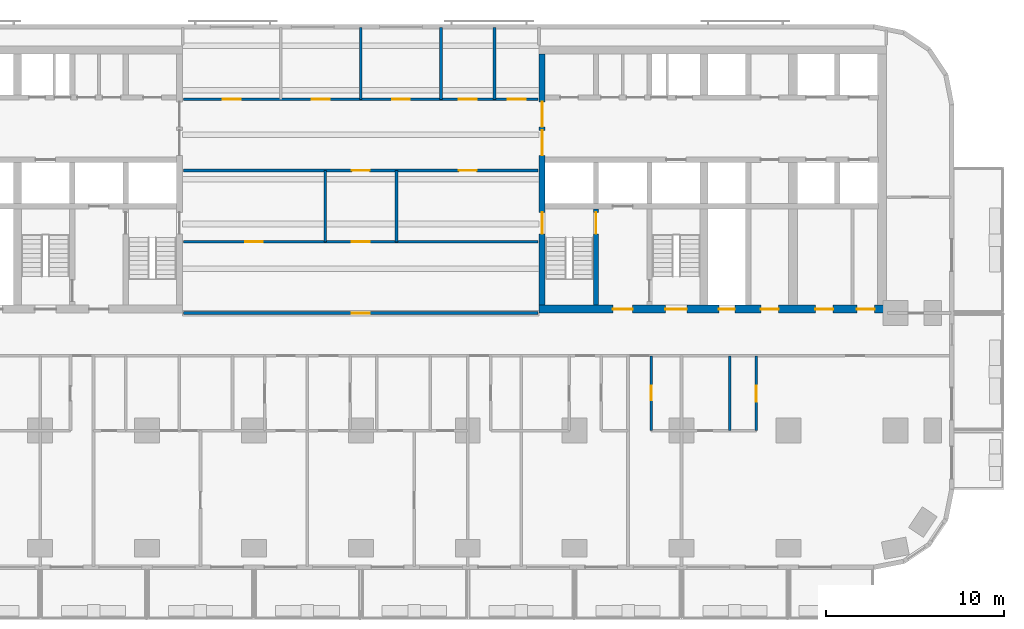
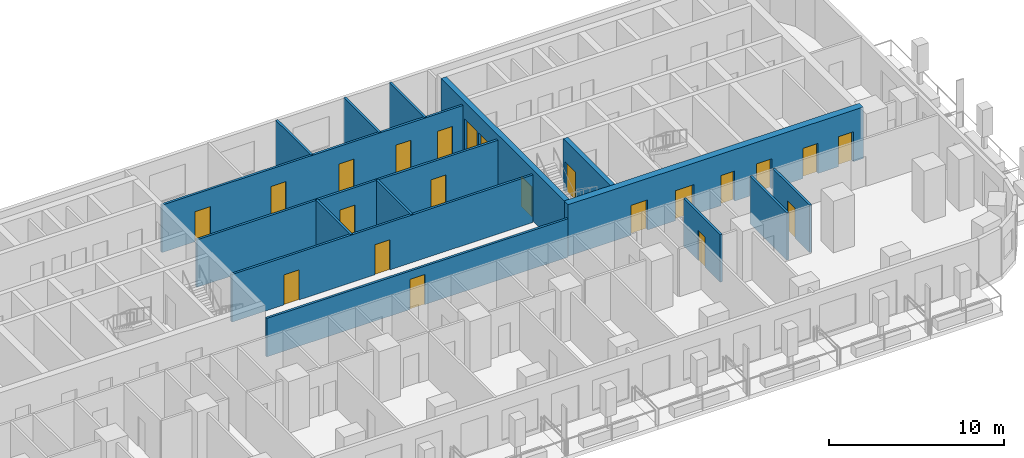
# One storey, part 6 of 13: 22 doors, 15 walls, 22 openings.
"""IFC4 building model written with IfcOpenShell, lengths in metres."""

from ifc_helpers import new_model, si_unit, direction, frame, frame_2d, origin, place, context, subcontext, project, spatial, rectangle, extrude, material, layer, layer_set, type_object, element, fill, save


model = new_model("IFC4")

# Units and contexts
model_context = context("Model", 3, precision=1e-05, world=origin(), true_north=direction((0.0, 1.0)))
body_context = subcontext(model_context, "Body", "Model", "MODEL_VIEW")
ifc_project = project(units=[si_unit("LENGTHUNIT", "METRE"), si_unit("AREAUNIT", "SQUARE_METRE"), si_unit("VOLUMEUNIT", "CUBIC_METRE"), si_unit("PLANEANGLEUNIT", "RADIAN"), si_unit("MASSUNIT", "GRAM", prefix="KILO")], contexts=[model_context])

# Site, building, storey
site_placement = place(None, origin())
site = spatial("IfcSite", under=ifc_project, at=site_placement, CompositionType="ELEMENT")
building_placement = place(site_placement, origin())
building = spatial("IfcBuilding", under=site, at=building_placement, Name="Torana Hotel and Residences", CompositionType="ELEMENT")
storey_placement = place(building_placement, frame((0.0, 0.0, 78.0)))
storey = spatial("IfcBuildingStorey", under=building, at=storey_placement, Name="L19", CompositionType="ELEMENT", Elevation=78.0)

# Wall, opening, door
ifc_material_1 = material(Name="Concrete C80/95", Category="concrete")
ifc_layer_1 = layer(ifc_material_1, 0.300048828125)
ifc_layer_set_1 = layer_set([ifc_layer_1], Name="CORE WALL 300 C80/95")
wall_type_1 = type_object("IfcWallType", Name="CORE WALL 300 C80/95", PredefinedType="SHEAR", material=ifc_layer_set_1)
wall_1_placement = place(storey_placement, frame((13.199951171875, -14.550048828125, 0.0), z_axis=(0.0, 0.0, 1.0), x_axis=(0.0, 1.0, 0.0)))
wall_1 = element("IfcWall", 1, at=wall_1_placement, inside=storey, type_object=wall_type_1, Name="Core wall E x3.05-band", PredefinedType="SHEAR", context=body_context, shape_type="SweptSolid", body=[
    extrude(rectangle(XDim=5.400146484375, YDim=0.300048828125, at=frame_2d((2.7001953125, 0.0))), origin(), (0.0, 0.0, 1.0), 3.60009765625),
])
opening_1_placement = place(wall_1_placement, frame((4.0, 0.0, 0.0)))
opening_1 = element("IfcOpeningElement", 2, at=opening_1_placement, cuts=wall_1, Name="Opening L19-35", PredefinedType="OPENING", context=body_context, shape_type="SweptSolid", body=[
    extrude(rectangle(XDim=1.199951171875, YDim=2.10009765625, at=frame_2d((0.60009765625, 1.050048828125))), frame((0.0, 0.159912109375, 0.0), z_axis=(0.0, -1.0, 0.0), x_axis=(1.0, 0.0, 0.0)), (0.0, 0.0, 1.0), 0.320068359375),
])
ifc_material_2 = material(Name="Steel S235", Category="steel")
door_type_1 = type_object("IfcDoorType", Name="STAIR FIRE DOOR D3 1200x2100", OperationType="SINGLE_SWING_LEFT", PredefinedType="DOOR", material=ifc_material_2)
door_1_placement = place(opening_1_placement, origin())
door_1 = element("IfcDoor", 3, at=door_1_placement, inside=storey, type_object=door_type_1, Name="Stair-A-lobby door L19", OperationType="SINGLE_SWING_LEFT", OverallHeight=2.10009765625, OverallWidth=1.199951171875, PredefinedType="DOOR", context=body_context, shape_type="SweptSolid", body=[
    extrude(rectangle(XDim=1.199951171875, YDim=2.10009765625, at=frame_2d((0.60009765625, 1.050048828125))), frame((0.0, 0.02490234375, 0.0), z_axis=(0.0, -1.0, 0.0), x_axis=(1.0, 0.0, 0.0)), (0.0, 0.0, 1.0), 0.050048828125),
])
fill(opening_1, door_1)

# Wall, openings, doors
ifc_material_3 = material(Name="Concrete C80/95", Category="concrete")
ifc_layer_2 = layer(ifc_material_3, 0.35009765625)
ifc_layer_set_2 = layer_set([ifc_layer_2], Name="CORE WALL 350 C80/95")
wall_type_2 = type_object("IfcWallType", Name="CORE WALL 350 C80/95", PredefinedType="SHEAR", material=ifc_layer_set_2)
wall_2_placement = place(storey_placement, frame((10.175048828125, -14.550048828125, 0.0), z_axis=(0.0, 0.0, 1.0), x_axis=(0.0, 1.0, 0.0)))
wall_2 = element("IfcWall", 4, at=wall_2_placement, inside=storey, type_object=wall_type_2, Name="Core wall E arch", PredefinedType="SHEAR", context=body_context, shape_type="SweptSolid", body=[
    extrude(rectangle(XDim=14.10009765625, YDim=0.35009765625, at=frame_2d((7.050048828125, 0.0))), origin(), (0.0, 0.0, 1.0), 3.60009765625),
])
opening_2_placement = place(wall_2_placement, frame((8.39990234375, 0.0, 0.0)))
opening_2 = element("IfcOpeningElement", 5, at=opening_2_placement, cuts=wall_2, Name="Opening L19-19", PredefinedType="OPENING", context=body_context, shape_type="SweptSolid", body=[
    extrude(rectangle(XDim=1.39990234375, YDim=2.39990234375, at=frame_2d((0.699951171875, 1.199951171875))), frame((0.0, 0.18505859375, 0.0), z_axis=(0.0, -1.0, 0.0), x_axis=(1.0, 0.0, 0.0)), (0.0, 0.0, 1.0), 0.3701171875),
])
opening_3_placement = place(wall_2_placement, frame((10.0, 0.0, 0.0)))
opening_3 = element("IfcOpeningElement", 6, at=opening_3_placement, cuts=wall_2, Name="Opening L19-20", PredefinedType="OPENING", context=body_context, shape_type="SweptSolid", body=[
    extrude(rectangle(XDim=1.39990234375, YDim=2.39990234375, at=frame_2d((0.699951171875, 1.199951171875))), frame((0.0, 0.18505859375, 0.0), z_axis=(0.0, -1.0, 0.0), x_axis=(1.0, 0.0, 0.0)), (0.0, 0.0, 1.0), 0.3701171875),
])
opening_4_placement = place(wall_2_placement, frame((4.0, 0.0, 0.0)))
opening_4 = element("IfcOpeningElement", 7, at=opening_4_placement, cuts=wall_2, Name="Opening L19-21", PredefinedType="OPENING", context=body_context, shape_type="SweptSolid", body=[
    extrude(rectangle(XDim=1.199951171875, YDim=2.10009765625, at=frame_2d((0.60009765625, 1.050048828125))), frame((0.0, 0.18505859375, 0.0), z_axis=(0.0, -1.0, 0.0), x_axis=(1.0, 0.0, 0.0)), (0.0, 0.0, 1.0), 0.3701171875),
])
ifc_material_4 = material(Name="Steel S235", Category="steel")
door_type_2 = type_object("IfcDoorType", Name="LOBBY FIRE DOOR D4 1400x2400", OperationType="DOUBLE_DOOR_SINGLE_SWING", PredefinedType="DOOR", material=ifc_material_4)
door_2_placement = place(opening_2_placement, origin())
door_2 = element("IfcDoor", 8, at=door_2_placement, inside=storey, type_object=door_type_2, Name="Lobby-1 door L19", OperationType="DOUBLE_DOOR_SINGLE_SWING", OverallHeight=2.39990234375, OverallWidth=1.39990234375, PredefinedType="DOOR", context=body_context, shape_type="SweptSolid", body=[
    extrude(rectangle(XDim=1.39990234375, YDim=2.39990234375, at=frame_2d((0.699951171875, 1.199951171875))), frame((0.0, 0.02490234375, 0.0), z_axis=(0.0, -1.0, 0.0), x_axis=(1.0, 0.0, 0.0)), (0.0, 0.0, 1.0), 0.050048828125),
])
fill(opening_2, door_2)
door_3_placement = place(opening_3_placement, origin())
door_3 = element("IfcDoor", 9, at=door_3_placement, inside=storey, type_object=door_type_2, Name="Lobby-2 door L19", OperationType="DOUBLE_DOOR_SINGLE_SWING", OverallHeight=2.39990234375, OverallWidth=1.39990234375, PredefinedType="DOOR", context=body_context, shape_type="SweptSolid", body=[
    extrude(rectangle(XDim=1.39990234375, YDim=2.39990234375, at=frame_2d((0.699951171875, 1.199951171875))), frame((0.0, 0.02490234375, 0.0), z_axis=(0.0, -1.0, 0.0), x_axis=(1.0, 0.0, 0.0)), (0.0, 0.0, 1.0), 0.050048828125),
])
fill(opening_3, door_3)
door_4_placement = place(opening_4_placement, frame((0.60009765625, 0.0, 0.0), z_axis=(0.0, 0.0, 1.0), x_axis=(-1.0, 0.0, 0.0)))
door_4 = element("IfcDoor", 10, at=door_4_placement, inside=storey, type_object=door_type_1, Name="Stair-A door L19", OperationType="SINGLE_SWING_RIGHT", OverallHeight=2.10009765625, OverallWidth=1.199951171875, PredefinedType="DOOR", context=body_context, shape_type="SweptSolid", body=[
    extrude(rectangle(XDim=1.199951171875, YDim=2.10009765625, at=frame_2d((0.0, 1.050048828125))), frame((0.0, -0.02490234375, 0.0), z_axis=(0.0, 1.0, 0.0), x_axis=(-1.0, 0.0, 0.0)), (0.0, 0.0, 1.0), 0.050048828125),
])
fill(opening_4, door_4)

ifc_material_5 = material(Name="Concrete C80/95", Category="concrete")
ifc_layer_3 = layer(ifc_material_5, 0.449951171875)
ifc_layer_set_3 = layer_set([ifc_layer_3], Name="CORE WALL 450 C80/95")
wall_type_3 = type_object("IfcWallType", Name="CORE WALL 450 C80/95", PredefinedType="SHEAR", material=ifc_layer_set_3)
wall_3_placement = place(storey_placement, frame((10.0, -14.77490234375, 0.0), z_axis=(0.0, 0.0, 1.0), x_axis=(1.0, 0.0, 0.0)))
wall_3 = element("IfcWall", 11, at=wall_3_placement, inside=storey, type_object=wall_type_3, Name="Core wall E front", PredefinedType="SHEAR", context=body_context, shape_type="SweptSolid", body=[
    extrude(rectangle(XDim=19.5, YDim=0.449951171875, at=frame_2d((9.75, 0.0))), origin(), (0.0, 0.0, 1.0), 3.60009765625),
])
opening_5_placement = place(wall_3_placement, frame((7.10009765625, 0.0, 0.0)))
opening_5 = element("IfcOpeningElement", 12, at=opening_5_placement, cuts=wall_3, Name="Opening L19-22", PredefinedType="OPENING", context=body_context, shape_type="SweptSolid", body=[
    extrude(rectangle(XDim=1.199951171875, YDim=2.10009765625, at=frame_2d((0.60009765625, 1.050048828125))), frame((0.0, 0.23486328125, 0.0), z_axis=(0.0, -1.0, 0.0), x_axis=(1.0, 0.0, 0.0)), (0.0, 0.0, 1.0), 0.469970703125),
])
opening_6_placement = place(wall_3_placement, frame((4.14990234375, 0.0, 0.0)))
opening_6 = element("IfcOpeningElement", 13, at=opening_6_placement, cuts=wall_3, Name="Opening L19-23", PredefinedType="OPENING", context=body_context, shape_type="SweptSolid", body=[
    extrude(rectangle(XDim=1.10009765625, YDim=2.10009765625, at=frame_2d((0.550048828125, 1.050048828125))), frame((0.0, 0.23486328125, 0.0), z_axis=(0.0, -1.0, 0.0), x_axis=(1.0, 0.0, 0.0)), (0.0, 0.0, 1.0), 0.469970703125),
])
opening_7_placement = place(wall_3_placement, frame((10.10009765625, 0.0, 0.0)))
opening_7 = element("IfcOpeningElement", 14, at=opening_7_placement, cuts=wall_3, Name="Opening L19-24", PredefinedType="OPENING", context=body_context, shape_type="SweptSolid", body=[
    extrude(rectangle(XDim=0.89990234375, YDim=2.10009765625, at=frame_2d((0.449951171875, 1.050048828125))), frame((0.0, 0.23486328125, 0.0), z_axis=(0.0, -1.0, 0.0), x_axis=(1.0, 0.0, 0.0)), (0.0, 0.0, 1.0), 0.469970703125),
])
opening_8_placement = place(wall_3_placement, frame((12.449951171875, 0.0, 0.0)))
opening_8 = element("IfcOpeningElement", 15, at=opening_8_placement, cuts=wall_3, Name="Opening L19-25", PredefinedType="OPENING", context=body_context, shape_type="SweptSolid", body=[
    extrude(rectangle(XDim=1.0, YDim=2.10009765625, at=frame_2d((0.5, 1.050048828125))), frame((0.0, 0.23486328125, 0.0), z_axis=(0.0, -1.0, 0.0), x_axis=(1.0, 0.0, 0.0)), (0.0, 0.0, 1.0), 0.469970703125),
])
opening_9_placement = place(wall_3_placement, frame((15.512451171875, 0.0, 0.0)))
opening_9 = element("IfcOpeningElement", 16, at=opening_9_placement, cuts=wall_3, Name="Opening L19-26", PredefinedType="OPENING", context=body_context, shape_type="SweptSolid", body=[
    extrude(rectangle(XDim=1.0, YDim=2.10009765625, at=frame_2d((0.5, 1.050048828125))), frame((0.0, 0.23486328125, 0.0), z_axis=(0.0, -1.0, 0.0), x_axis=(1.0, 0.0, 0.0)), (0.0, 0.0, 1.0), 0.469970703125),
])
opening_10_placement = place(wall_3_placement, frame((17.83740234375, 0.0, 0.0)))
opening_10 = element("IfcOpeningElement", 17, at=opening_10_placement, cuts=wall_3, Name="Opening L19-27", PredefinedType="OPENING", context=body_context, shape_type="SweptSolid", body=[
    extrude(rectangle(XDim=1.0, YDim=2.10009765625, at=frame_2d((0.5, 1.050048828125))), frame((0.0, 0.23486328125, 0.0), z_axis=(0.0, -1.0, 0.0), x_axis=(1.0, 0.0, 0.0)), (0.0, 0.0, 1.0), 0.469970703125),
])
ifc_material_6 = material(Name="Steel S235", Category="steel")
door_type_3 = type_object("IfcDoorType", Name="CORE ROOM FIRE DOOR D14 1000x2100", OperationType="SINGLE_SWING_LEFT", PredefinedType="DOOR", material=ifc_material_6)
door_5_placement = place(opening_8_placement, origin())
door_5 = element("IfcDoor", 18, at=door_5_placement, inside=storey, type_object=door_type_3, Name="M-Room door L19", OperationType="SINGLE_SWING_RIGHT", OverallHeight=2.10009765625, OverallWidth=1.0, PredefinedType="DOOR", context=body_context, shape_type="SweptSolid", body=[
    extrude(rectangle(XDim=1.0, YDim=2.10009765625, at=frame_2d((0.5, 1.050048828125))), frame((0.0, 0.02490234375, 0.0), z_axis=(0.0, -1.0, 0.0), x_axis=(1.0, 0.0, 0.0)), (0.0, 0.0, 1.0), 0.050048828125),
])
fill(opening_8, door_5)
door_6_placement = place(opening_9_placement, origin())
door_6 = element("IfcDoor", 19, at=door_6_placement, inside=storey, type_object=door_type_3, Name="L-A door L19", OperationType="SINGLE_SWING_RIGHT", OverallHeight=2.10009765625, OverallWidth=1.0, PredefinedType="DOOR", context=body_context, shape_type="SweptSolid", body=[
    extrude(rectangle(XDim=1.0, YDim=2.10009765625, at=frame_2d((0.5, 1.050048828125))), frame((0.0, 0.02490234375, 0.0), z_axis=(0.0, -1.0, 0.0), x_axis=(1.0, 0.0, 0.0)), (0.0, 0.0, 1.0), 0.050048828125),
])
fill(opening_9, door_6)
door_7_placement = place(opening_10_placement, origin())
door_7 = element("IfcDoor", 20, at=door_7_placement, inside=storey, type_object=door_type_3, Name="L-B door L19", OperationType="SINGLE_SWING_RIGHT", OverallHeight=2.10009765625, OverallWidth=1.0, PredefinedType="DOOR", context=body_context, shape_type="SweptSolid", body=[
    extrude(rectangle(XDim=1.0, YDim=2.10009765625, at=frame_2d((0.5, 1.050048828125))), frame((0.0, 0.02490234375, 0.0), z_axis=(0.0, -1.0, 0.0), x_axis=(1.0, 0.0, 0.0)), (0.0, 0.0, 1.0), 0.050048828125),
])
fill(opening_10, door_7)
ifc_material_7 = material(Name="Steel S235", Category="steel")
door_type_4 = type_object("IfcDoorType", Name="FIRE-FIGHTING LOBBY DOOR D8 1100x2100", OperationType="SINGLE_SWING_LEFT", PredefinedType="DOOR", material=ifc_material_7)
door_8_placement = place(opening_6_placement, origin())
door_8 = element("IfcDoor", 21, at=door_8_placement, inside=storey, type_object=door_type_4, Name="FF-lobby door L19", OperationType="SINGLE_SWING_RIGHT", OverallHeight=2.10009765625, OverallWidth=1.10009765625, PredefinedType="DOOR", context=body_context, shape_type="SweptSolid", body=[
    extrude(rectangle(XDim=1.10009765625, YDim=2.10009765625, at=frame_2d((0.550048828125, 1.050048828125))), frame((0.0, 0.02490234375, 0.0), z_axis=(0.0, -1.0, 0.0), x_axis=(1.0, 0.0, 0.0)), (0.0, 0.0, 1.0), 0.050048828125),
])
fill(opening_6, door_8)
ifc_material_8 = material(Name="Steel S235", Category="steel")
door_type_5 = type_object("IfcDoorType", Name="RISER ACCESS DOOR D5 900x2100", OperationType="SINGLE_SWING_LEFT", PredefinedType="DOOR", material=ifc_material_8)
door_9_placement = place(opening_7_placement, origin())
door_9 = element("IfcDoor", 22, at=door_9_placement, inside=storey, type_object=door_type_5, Name="M-Riser door L19", OperationType="SINGLE_SWING_RIGHT", OverallHeight=2.10009765625, OverallWidth=0.89990234375, PredefinedType="DOOR", context=body_context, shape_type="SweptSolid", body=[
    extrude(rectangle(XDim=0.89990234375, YDim=2.10009765625, at=frame_2d((0.449951171875, 1.050048828125))), frame((0.0, 0.02490234375, 0.0), z_axis=(0.0, -1.0, 0.0), x_axis=(1.0, 0.0, 0.0)), (0.0, 0.0, 1.0), 0.050048828125),
])
fill(opening_7, door_9)
door_10_placement = place(opening_5_placement, origin())
door_10 = element("IfcDoor", 23, at=door_10_placement, inside=storey, type_object=door_type_1, Name="Stair-B door L19", OperationType="SINGLE_SWING_RIGHT", OverallHeight=2.10009765625, OverallWidth=1.199951171875, PredefinedType="DOOR", context=body_context, shape_type="SweptSolid", body=[
    extrude(rectangle(XDim=1.199951171875, YDim=2.10009765625, at=frame_2d((0.60009765625, 1.050048828125))), frame((0.0, 0.02490234375, 0.0), z_axis=(0.0, -1.0, 0.0), x_axis=(1.0, 0.0, 0.0)), (0.0, 0.0, 1.0), 0.050048828125),
])
fill(opening_5, door_10)

# Walls
ifc_material_9 = material(Name="Gypsum plaster")
ifc_layer_4 = layer(ifc_material_9, 0.014892578125, Name="Plaster", Category="finish")
ifc_material_10 = material(Name="Concrete blockwork", Category="masonry")
ifc_layer_5 = layer(ifc_material_10, 0.1201171875, Name="Blockwork", Category="structure")
ifc_layer_6 = layer(ifc_material_9, 0.014892578125, Name="Plaster", Category="finish")
ifc_layer_set_4 = layer_set([ifc_layer_4, ifc_layer_5, ifc_layer_6], Name="FIRE PARTITION 150 BLOCKWORK")
wall_type_4 = type_object("IfcWallType", Name="FIRE PARTITION 150 BLOCKWORK", PredefinedType="PARTITIONING", material=ifc_layer_set_4)
for number, where, z_axis, x_axis, name in (
    (24, (2.0, -11.0, 0.0), (0.0, 0.0, 1.0), (0.0, 1.0, 0.0), "Partition L19"),
    (25, (-2.0, -11.0, 0.0), (0.0, 0.0, 1.0), (0.0, 1.0, 0.0), "Partition L19"),
):
    element("IfcWall", number, at=place(storey_placement, frame(where, z_axis=z_axis, x_axis=x_axis)), inside=storey, type_object=wall_type_4, Name=name, PredefinedType="PARTITIONING", context=body_context, shape_type="SweptSolid", body=[
        extrude(rectangle(XDim=4.0, YDim=0.14990234375, at=frame_2d((2.0, 0.0))), origin(), (0.0, 0.0, 1.0), 3.320068359375),
    ])

# Wall, opening, door
wall_4_placement = place(storey_placement, frame((-9.949951171875, -15.0, 0.0), z_axis=(0.0, 0.0, 1.0), x_axis=(1.0, 0.0, 0.0)))
wall_4 = element("IfcWall", 26, at=wall_4_placement, inside=storey, type_object=wall_type_4, Name="Partition L19", PredefinedType="PARTITIONING", context=body_context, shape_type="SweptSolid", body=[
    extrude(rectangle(XDim=19.89990234375, YDim=0.14990234375, at=frame_2d((9.949951171875, 0.0))), origin(), (0.0, 0.0, 1.0), 2.68408203125),
])
opening_11_placement = place(wall_4_placement, frame((9.449951171875, 0.0, 0.0)))
opening_11 = element("IfcOpeningElement", 27, at=opening_11_placement, cuts=wall_4, Name="Opening L19-37", PredefinedType="OPENING", context=body_context, shape_type="SweptSolid", body=[
    extrude(rectangle(XDim=1.0, YDim=2.10009765625, at=frame_2d((0.5, 1.050048828125))), frame((0.0, 0.0849609375, 0.0), z_axis=(0.0, -1.0, 0.0), x_axis=(1.0, 0.0, 0.0)), (0.0, 0.0, 1.0), 0.169921875),
])
ifc_material_11 = material(Name="Steel S235", Category="steel")
door_type_6 = type_object("IfcDoorType", Name="ENTRY FIRE DOOR D6 1000x2100", OperationType="SINGLE_SWING_LEFT", PredefinedType="DOOR", material=ifc_material_11)
door_11_placement = place(opening_11_placement, origin())
door_11 = element("IfcDoor", 28, at=door_11_placement, inside=storey, type_object=door_type_6, Name="Door L19", OperationType="SINGLE_SWING_RIGHT", OverallHeight=2.10009765625, OverallWidth=1.0, PredefinedType="DOOR", context=body_context, shape_type="SweptSolid", body=[
    extrude(rectangle(XDim=1.0, YDim=2.10009765625, at=frame_2d((0.5, 1.050048828125))), frame((0.0, 0.02490234375, 0.0), z_axis=(0.0, -1.0, 0.0), x_axis=(1.0, 0.0, 0.0)), (0.0, 0.0, 1.0), 0.050048828125),
])
fill(opening_11, door_11)

# Wall, openings, doors
wall_5_placement = place(storey_placement, frame((-9.949951171875, -11.0, 0.0), z_axis=(0.0, 0.0, 1.0), x_axis=(1.0, 0.0, 0.0)))
wall_5 = element("IfcWall", 29, at=wall_5_placement, inside=storey, type_object=wall_type_4, Name="Partition L19", PredefinedType="PARTITIONING", context=body_context, shape_type="SweptSolid", body=[
    extrude(rectangle(XDim=19.89990234375, YDim=0.14990234375, at=frame_2d((9.949951171875, 0.0))), origin(), (0.0, 0.0, 1.0), 3.320068359375),
])
opening_12_placement = place(wall_5_placement, frame((9.449951171875, 0.0, 0.0)))
opening_12 = element("IfcOpeningElement", 30, at=opening_12_placement, cuts=wall_5, Name="Opening L19-49", PredefinedType="OPENING", context=body_context, shape_type="SweptSolid", body=[
    extrude(rectangle(XDim=1.0, YDim=2.10009765625, at=frame_2d((0.5, 1.050048828125))), frame((0.0, 0.0849609375, 0.0), z_axis=(0.0, -1.0, 0.0), x_axis=(1.0, 0.0, 0.0)), (0.0, 0.0, 1.0), 0.169921875),
])
opening_13_placement = place(wall_5_placement, frame((3.449951171875, 0.0, 0.0)))
opening_13 = element("IfcOpeningElement", 31, at=opening_13_placement, cuts=wall_5, Name="Opening L19-50", PredefinedType="OPENING", context=body_context, shape_type="SweptSolid", body=[
    extrude(rectangle(XDim=1.0, YDim=2.10009765625, at=frame_2d((0.5, 1.050048828125))), frame((0.0, 0.0849609375, 0.0), z_axis=(0.0, -1.0, 0.0), x_axis=(1.0, 0.0, 0.0)), (0.0, 0.0, 1.0), 0.169921875),
])
door_12_placement = place(opening_12_placement, origin())
door_12 = element("IfcDoor", 32, at=door_12_placement, inside=storey, type_object=door_type_6, Name="Door L19", OperationType="SINGLE_SWING_RIGHT", OverallHeight=2.10009765625, OverallWidth=1.0, PredefinedType="DOOR", context=body_context, shape_type="SweptSolid", body=[
    extrude(rectangle(XDim=1.0, YDim=2.10009765625, at=frame_2d((0.5, 1.050048828125))), frame((0.0, 0.02490234375, 0.0), z_axis=(0.0, -1.0, 0.0), x_axis=(1.0, 0.0, 0.0)), (0.0, 0.0, 1.0), 0.050048828125),
])
fill(opening_12, door_12)
door_13_placement = place(opening_13_placement, origin())
door_13 = element("IfcDoor", 33, at=door_13_placement, inside=storey, type_object=door_type_6, Name="Door L19", OperationType="SINGLE_SWING_RIGHT", OverallHeight=2.10009765625, OverallWidth=1.0, PredefinedType="DOOR", context=body_context, shape_type="SweptSolid", body=[
    extrude(rectangle(XDim=1.0, YDim=2.10009765625, at=frame_2d((0.5, 1.050048828125))), frame((0.0, 0.02490234375, 0.0), z_axis=(0.0, -1.0, 0.0), x_axis=(1.0, 0.0, 0.0)), (0.0, 0.0, 1.0), 0.050048828125),
])
fill(opening_13, door_13)

wall_6_placement = place(storey_placement, frame((-9.949951171875, -7.0, 0.0), z_axis=(0.0, 0.0, 1.0), x_axis=(1.0, 0.0, 0.0)))
wall_6 = element("IfcWall", 34, at=wall_6_placement, inside=storey, type_object=wall_type_4, Name="Partition L19", PredefinedType="PARTITIONING", context=body_context, shape_type="SweptSolid", body=[
    extrude(rectangle(XDim=19.89990234375, YDim=0.14990234375, at=frame_2d((9.949951171875, 0.0))), origin(), (0.0, 0.0, 1.0), 3.320068359375),
])
opening_14_placement = place(wall_6_placement, frame((9.449951171875, 0.0, 0.0)))
opening_14 = element("IfcOpeningElement", 35, at=opening_14_placement, cuts=wall_6, Name="Opening L19-51", PredefinedType="OPENING", context=body_context, shape_type="SweptSolid", body=[
    extrude(rectangle(XDim=1.0, YDim=2.10009765625, at=frame_2d((0.5, 1.050048828125))), frame((0.0, 0.0849609375, 0.0), z_axis=(0.0, -1.0, 0.0), x_axis=(1.0, 0.0, 0.0)), (0.0, 0.0, 1.0), 0.169921875),
])
opening_15_placement = place(wall_6_placement, frame((15.449951171875, 0.0, 0.0)))
opening_15 = element("IfcOpeningElement", 36, at=opening_15_placement, cuts=wall_6, Name="Opening L19-52", PredefinedType="OPENING", context=body_context, shape_type="SweptSolid", body=[
    extrude(rectangle(XDim=1.0, YDim=2.10009765625, at=frame_2d((0.5, 1.050048828125))), frame((0.0, 0.0849609375, 0.0), z_axis=(0.0, -1.0, 0.0), x_axis=(1.0, 0.0, 0.0)), (0.0, 0.0, 1.0), 0.169921875),
])
door_14_placement = place(opening_14_placement, origin())
door_14 = element("IfcDoor", 37, at=door_14_placement, inside=storey, type_object=door_type_6, Name="Door L19", OperationType="SINGLE_SWING_RIGHT", OverallHeight=2.10009765625, OverallWidth=1.0, PredefinedType="DOOR", context=body_context, shape_type="SweptSolid", body=[
    extrude(rectangle(XDim=1.0, YDim=2.10009765625, at=frame_2d((0.5, 1.050048828125))), frame((0.0, 0.02490234375, 0.0), z_axis=(0.0, -1.0, 0.0), x_axis=(1.0, 0.0, 0.0)), (0.0, 0.0, 1.0), 0.050048828125),
])
fill(opening_14, door_14)
door_15_placement = place(opening_15_placement, frame((0.5, 0.0, 0.0), z_axis=(0.0, 0.0, 1.0), x_axis=(-1.0, 0.0, 0.0)))
door_15 = element("IfcDoor", 38, at=door_15_placement, inside=storey, type_object=door_type_6, Name="Door L19", OperationType="SINGLE_SWING_LEFT", OverallHeight=2.10009765625, OverallWidth=1.0, PredefinedType="DOOR", context=body_context, shape_type="SweptSolid", body=[
    extrude(rectangle(XDim=1.0, YDim=2.10009765625, at=frame_2d((0.0, 1.050048828125))), frame((0.0, -0.02490234375, 0.0), z_axis=(0.0, 1.0, 0.0), x_axis=(-1.0, 0.0, 0.0)), (0.0, 0.0, 1.0), 0.050048828125),
])
fill(opening_15, door_15)

wall_7_placement = place(storey_placement, frame((-9.949951171875, -3.0, 0.0), z_axis=(0.0, 0.0, 1.0), x_axis=(1.0, 0.0, 0.0)))
wall_7 = element("IfcWall", 39, at=wall_7_placement, inside=storey, type_object=wall_type_4, Name="Partition L19", PredefinedType="PARTITIONING", context=body_context, shape_type="SweptSolid", body=[
    extrude(rectangle(XDim=19.89990234375, YDim=0.14990234375, at=frame_2d((9.949951171875, 0.0))), origin(), (0.0, 0.0, 1.0), 3.320068359375),
])
opening_16_placement = place(wall_7_placement, frame((2.199951171875, 0.0, 0.0)))
opening_16 = element("IfcOpeningElement", 40, at=opening_16_placement, cuts=wall_7, Name="Opening L19-53", PredefinedType="OPENING", context=body_context, shape_type="SweptSolid", body=[
    extrude(rectangle(XDim=1.0, YDim=2.10009765625, at=frame_2d((0.5, 1.050048828125))), frame((0.0, 0.0849609375, 0.0), z_axis=(0.0, -1.0, 0.0), x_axis=(1.0, 0.0, 0.0)), (0.0, 0.0, 1.0), 0.169921875),
])
opening_17_placement = place(wall_7_placement, frame((7.199951171875, 0.0, 0.0)))
opening_17 = element("IfcOpeningElement", 41, at=opening_17_placement, cuts=wall_7, Name="Opening L19-54", PredefinedType="OPENING", context=body_context, shape_type="SweptSolid", body=[
    extrude(rectangle(XDim=1.0, YDim=2.10009765625, at=frame_2d((0.5, 1.050048828125))), frame((0.0, 0.0849609375, 0.0), z_axis=(0.0, -1.0, 0.0), x_axis=(1.0, 0.0, 0.0)), (0.0, 0.0, 1.0), 0.169921875),
])
opening_18_placement = place(wall_7_placement, frame((11.699951171875, 0.0, 0.0)))
opening_18 = element("IfcOpeningElement", 42, at=opening_18_placement, cuts=wall_7, Name="Opening L19-55", PredefinedType="OPENING", context=body_context, shape_type="SweptSolid", body=[
    extrude(rectangle(XDim=1.0, YDim=2.10009765625, at=frame_2d((0.5, 1.050048828125))), frame((0.0, 0.0849609375, 0.0), z_axis=(0.0, -1.0, 0.0), x_axis=(1.0, 0.0, 0.0)), (0.0, 0.0, 1.0), 0.169921875),
])
opening_19_placement = place(wall_7_placement, frame((15.449951171875, 0.0, 0.0)))
opening_19 = element("IfcOpeningElement", 43, at=opening_19_placement, cuts=wall_7, Name="Opening L19-56", PredefinedType="OPENING", context=body_context, shape_type="SweptSolid", body=[
    extrude(rectangle(XDim=1.0, YDim=2.10009765625, at=frame_2d((0.5, 1.050048828125))), frame((0.0, 0.0849609375, 0.0), z_axis=(0.0, -1.0, 0.0), x_axis=(1.0, 0.0, 0.0)), (0.0, 0.0, 1.0), 0.169921875),
])
opening_20_placement = place(wall_7_placement, frame((18.199951171875, 0.0, 0.0)))
opening_20 = element("IfcOpeningElement", 44, at=opening_20_placement, cuts=wall_7, Name="Opening L19-57", PredefinedType="OPENING", context=body_context, shape_type="SweptSolid", body=[
    extrude(rectangle(XDim=1.0, YDim=2.10009765625, at=frame_2d((0.5, 1.050048828125))), frame((0.0, 0.0849609375, 0.0), z_axis=(0.0, -1.0, 0.0), x_axis=(1.0, 0.0, 0.0)), (0.0, 0.0, 1.0), 0.169921875),
])
door_16_placement = place(opening_16_placement, origin())
door_16 = element("IfcDoor", 45, at=door_16_placement, inside=storey, type_object=door_type_6, Name="Door L19", OperationType="SINGLE_SWING_RIGHT", OverallHeight=2.10009765625, OverallWidth=1.0, PredefinedType="DOOR", context=body_context, shape_type="SweptSolid", body=[
    extrude(rectangle(XDim=1.0, YDim=2.10009765625, at=frame_2d((0.5, 1.050048828125))), frame((0.0, 0.02490234375, 0.0), z_axis=(0.0, -1.0, 0.0), x_axis=(1.0, 0.0, 0.0)), (0.0, 0.0, 1.0), 0.050048828125),
])
fill(opening_16, door_16)
door_17_placement = place(opening_17_placement, origin())
door_17 = element("IfcDoor", 46, at=door_17_placement, inside=storey, type_object=door_type_6, Name="Door L19", OperationType="SINGLE_SWING_RIGHT", OverallHeight=2.10009765625, OverallWidth=1.0, PredefinedType="DOOR", context=body_context, shape_type="SweptSolid", body=[
    extrude(rectangle(XDim=1.0, YDim=2.10009765625, at=frame_2d((0.5, 1.050048828125))), frame((0.0, 0.02490234375, 0.0), z_axis=(0.0, -1.0, 0.0), x_axis=(1.0, 0.0, 0.0)), (0.0, 0.0, 1.0), 0.050048828125),
])
fill(opening_17, door_17)
door_18_placement = place(opening_18_placement, origin())
door_18 = element("IfcDoor", 47, at=door_18_placement, inside=storey, type_object=door_type_6, Name="Door L19", OperationType="SINGLE_SWING_RIGHT", OverallHeight=2.10009765625, OverallWidth=1.0, PredefinedType="DOOR", context=body_context, shape_type="SweptSolid", body=[
    extrude(rectangle(XDim=1.0, YDim=2.10009765625, at=frame_2d((0.5, 1.050048828125))), frame((0.0, 0.02490234375, 0.0), z_axis=(0.0, -1.0, 0.0), x_axis=(1.0, 0.0, 0.0)), (0.0, 0.0, 1.0), 0.050048828125),
])
fill(opening_18, door_18)
door_19_placement = place(opening_19_placement, origin())
door_19 = element("IfcDoor", 48, at=door_19_placement, inside=storey, type_object=door_type_6, Name="Door L19", OperationType="SINGLE_SWING_RIGHT", OverallHeight=2.10009765625, OverallWidth=1.0, PredefinedType="DOOR", context=body_context, shape_type="SweptSolid", body=[
    extrude(rectangle(XDim=1.0, YDim=2.10009765625, at=frame_2d((0.5, 1.050048828125))), frame((0.0, 0.02490234375, 0.0), z_axis=(0.0, -1.0, 0.0), x_axis=(1.0, 0.0, 0.0)), (0.0, 0.0, 1.0), 0.050048828125),
])
fill(opening_19, door_19)
door_20_placement = place(opening_20_placement, origin())
door_20 = element("IfcDoor", 49, at=door_20_placement, inside=storey, type_object=door_type_6, Name="Door L19", OperationType="SINGLE_SWING_RIGHT", OverallHeight=2.10009765625, OverallWidth=1.0, PredefinedType="DOOR", context=body_context, shape_type="SweptSolid", body=[
    extrude(rectangle(XDim=1.0, YDim=2.10009765625, at=frame_2d((0.5, 1.050048828125))), frame((0.0, 0.02490234375, 0.0), z_axis=(0.0, -1.0, 0.0), x_axis=(1.0, 0.0, 0.0)), (0.0, 0.0, 1.0), 0.050048828125),
])
fill(opening_20, door_20)

# Wall, opening, door
ifc_material_12 = material(Name="Gypsum plasterboard")
ifc_layer_7 = layer(ifc_material_12, 0.012451171875, Name="Plasterboard", Category="finish")
ifc_layer_8 = layer(ifc_material_12, 0.012451171875, Name="Plasterboard", Category="finish")
ifc_material_13 = material(Name="Steel S280GD", Category="steel")
ifc_layer_9 = layer(ifc_material_13, 0.10009765625, Name="Steel studs with mineral wool", Category="insulation")
ifc_layer_10 = layer(ifc_material_12, 0.012451171875, Name="Plasterboard", Category="finish")
ifc_layer_11 = layer(ifc_material_12, 0.012451171875, Name="Plasterboard", Category="finish")
ifc_layer_set_5 = layer_set([ifc_layer_7, ifc_layer_8, ifc_layer_9, ifc_layer_10, ifc_layer_11], Name="PARTITION 150 PLASTERBOARD")
wall_type_5 = type_object("IfcWallType", Name="PARTITION 150 PLASTERBOARD", PredefinedType="PARTITIONING", material=ifc_layer_set_5)
wall_8_placement = place(storey_placement, frame((22.199951171875, -21.60009765625, 0.0), z_axis=(0.0, 0.0, 1.0), x_axis=(0.0, 1.0, 0.0)))
wall_8 = element("IfcWall", 50, at=wall_8_placement, inside=storey, type_object=wall_type_5, Name="Partition L19", PredefinedType="PARTITIONING", context=body_context, shape_type="SweptSolid", body=[
    extrude(rectangle(XDim=4.2001953125, YDim=0.14990234375, at=frame_2d((2.10009765625, 0.0))), origin(), (0.0, 0.0, 1.0), 3.320068359375),
])
opening_21_placement = place(wall_8_placement, frame((1.6298828125, 0.0, 0.0)))
opening_21 = element("IfcOpeningElement", 51, at=opening_21_placement, cuts=wall_8, Name="Opening L19-78", PredefinedType="OPENING", context=body_context, shape_type="SweptSolid", body=[
    extrude(rectangle(XDim=0.89990234375, YDim=2.10009765625, at=frame_2d((0.449951171875, 1.050048828125))), frame((0.0, 0.0849609375, 0.0), z_axis=(0.0, -1.0, 0.0), x_axis=(1.0, 0.0, 0.0)), (0.0, 0.0, 1.0), 0.169921875),
])
ifc_material_14 = material(Name="Timber door, oiled ash", Category="wood")
door_type_7 = type_object("IfcDoorType", Name="ROOM DOOR D7 900x2100", OperationType="SINGLE_SWING_LEFT", PredefinedType="DOOR", material=ifc_material_14)
door_21_placement = place(opening_21_placement, origin())
door_21 = element("IfcDoor", 52, at=door_21_placement, inside=storey, type_object=door_type_7, Name="Door L19", OperationType="SINGLE_SWING_RIGHT", OverallHeight=2.10009765625, OverallWidth=0.89990234375, PredefinedType="DOOR", context=body_context, shape_type="SweptSolid", body=[
    extrude(rectangle(XDim=0.89990234375, YDim=2.10009765625, at=frame_2d((0.449951171875, 1.050048828125))), frame((0.0, 0.02490234375, 0.0), z_axis=(0.0, -1.0, 0.0), x_axis=(1.0, 0.0, 0.0)), (0.0, 0.0, 1.0), 0.050048828125),
])
fill(opening_21, door_21)

# Wall
wall_9_placement = place(storey_placement, frame((20.699951171875, -21.60009765625, 0.0), z_axis=(0.0, 0.0, 1.0), x_axis=(0.0, 1.0, 0.0)))
element("IfcWall", 53, at=wall_9_placement, inside=storey, type_object=wall_type_5, Name="Partition L19", PredefinedType="PARTITIONING", context=body_context, shape_type="SweptSolid", body=[
    extrude(rectangle(XDim=4.2001953125, YDim=0.14990234375, at=frame_2d((2.10009765625, 0.0))), origin(), (0.0, 0.0, 1.0), 3.320068359375),
])

# Wall, opening, door
wall_10_placement = place(storey_placement, frame((16.300048828125, -21.60009765625, 0.0), z_axis=(0.0, 0.0, 1.0), x_axis=(0.0, 1.0, 0.0)))
wall_10 = element("IfcWall", 54, at=wall_10_placement, inside=storey, type_object=wall_type_5, Name="Partition L19", PredefinedType="PARTITIONING", context=body_context, shape_type="SweptSolid", body=[
    extrude(rectangle(XDim=4.2001953125, YDim=0.14990234375, at=frame_2d((2.10009765625, 0.0))), origin(), (0.0, 0.0, 1.0), 3.320068359375),
])
opening_22_placement = place(wall_10_placement, frame((1.719970703125, 0.0, 0.0)))
opening_22 = element("IfcOpeningElement", 55, at=opening_22_placement, cuts=wall_10, Name="Opening L19-74", PredefinedType="OPENING", context=body_context, shape_type="SweptSolid", body=[
    extrude(rectangle(XDim=0.800048828125, YDim=2.10009765625, at=frame_2d((0.39990234375, 1.050048828125))), frame((0.0, 0.0849609375, 0.0), z_axis=(0.0, -1.0, 0.0), x_axis=(1.0, 0.0, 0.0)), (0.0, 0.0, 1.0), 0.169921875),
])
ifc_material_15 = material(Name="Timber door, painted", Category="wood")
door_type_8 = type_object("IfcDoorType", Name="BATH DOOR D13 800x2100", OperationType="SINGLE_SWING_LEFT", PredefinedType="DOOR", material=ifc_material_15)
door_22_placement = place(opening_22_placement, origin())
door_22 = element("IfcDoor", 56, at=door_22_placement, inside=storey, type_object=door_type_8, Name="Door L19", OperationType="SINGLE_SWING_RIGHT", OverallHeight=2.10009765625, OverallWidth=0.800048828125, PredefinedType="DOOR", context=body_context, shape_type="SweptSolid", body=[
    extrude(rectangle(XDim=0.800048828125, YDim=2.10009765625, at=frame_2d((0.39990234375, 1.050048828125))), frame((0.0, 0.02490234375, 0.0), z_axis=(0.0, -1.0, 0.0), x_axis=(1.0, 0.0, 0.0)), (0.0, 0.0, 1.0), 0.050048828125),
])
fill(opening_22, door_22)

# Walls
wall_11_placement = place(storey_placement, frame((0.0, -3.0, 0.0), z_axis=(0.0, 0.0, 1.0), x_axis=(0.0, 1.0, 0.0)))
element("IfcWall", 57, at=wall_11_placement, inside=storey, type_object=wall_type_5, Name="Partition L19", PredefinedType="PARTITIONING", context=body_context, shape_type="SweptSolid", body=[
    extrude(rectangle(XDim=4.02001953125, YDim=0.14990234375, at=frame_2d((2.010009765625, 0.0))), origin(), (0.0, 0.0, 1.0), 3.320068359375),
])
ifc_material_16 = material(Name="Ceramic tile on adhesive")
ifc_layer_12 = layer(ifc_material_16, 0.010009765625, Name="Wall tile", Category="finish")
ifc_material_17 = material(Name="Cement render")
ifc_layer_13 = layer(ifc_material_17, 0.010009765625, Name="Render", Category="finish")
ifc_layer_14 = layer(ifc_material_10, 0.110107421875, Name="Blockwork", Category="structure")
ifc_layer_15 = layer(ifc_material_17, 0.010009765625, Name="Render", Category="finish")
ifc_layer_16 = layer(ifc_material_16, 0.010009765625, Name="Wall tile", Category="finish")
ifc_layer_set_6 = layer_set([ifc_layer_12, ifc_layer_13, ifc_layer_14, ifc_layer_15, ifc_layer_16], Name="WC PARTITION 150")
wall_type_6 = type_object("IfcWallType", Name="WC PARTITION 150", PredefinedType="PLUMBINGWALL", material=ifc_layer_set_6)
for number, where, z_axis, x_axis, name in (
    (58, (7.5, -3.0, 0.0), (0.0, 0.0, 1.0), (0.0, 1.0, 0.0), "Partition L19"),
    (59, (4.5, -3.0, 0.0), (0.0, 0.0, 1.0), (0.0, 1.0, 0.0), "Partition L19"),
):
    element("IfcWall", number, at=place(storey_placement, frame(where, z_axis=z_axis, x_axis=x_axis)), inside=storey, type_object=wall_type_6, Name=name, PredefinedType="PLUMBINGWALL", context=body_context, shape_type="SweptSolid", body=[
        extrude(rectangle(XDim=4.02001953125, YDim=0.14990234375, at=frame_2d((2.010009765625, 0.0))), origin(), (0.0, 0.0, 1.0), 3.320068359375),
    ])

save(model, "model.ifc")
